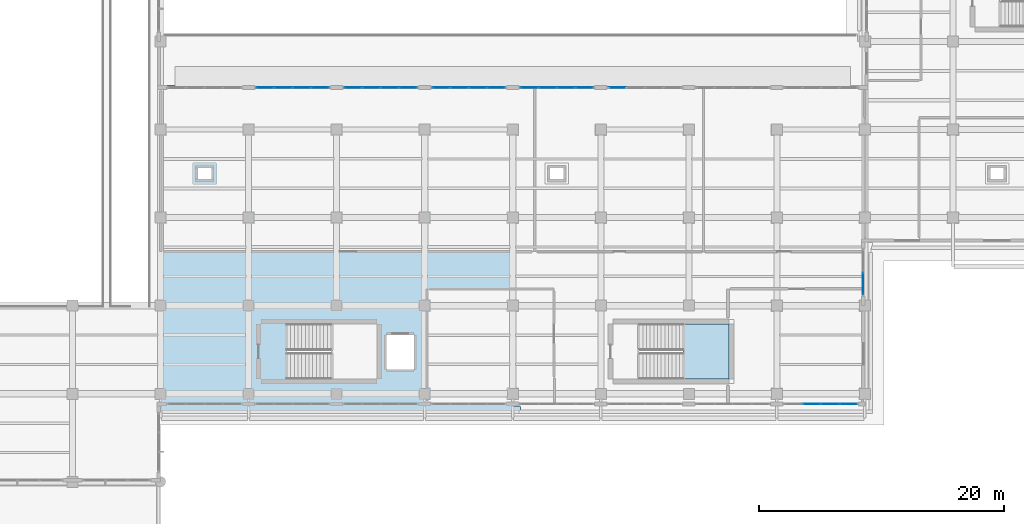
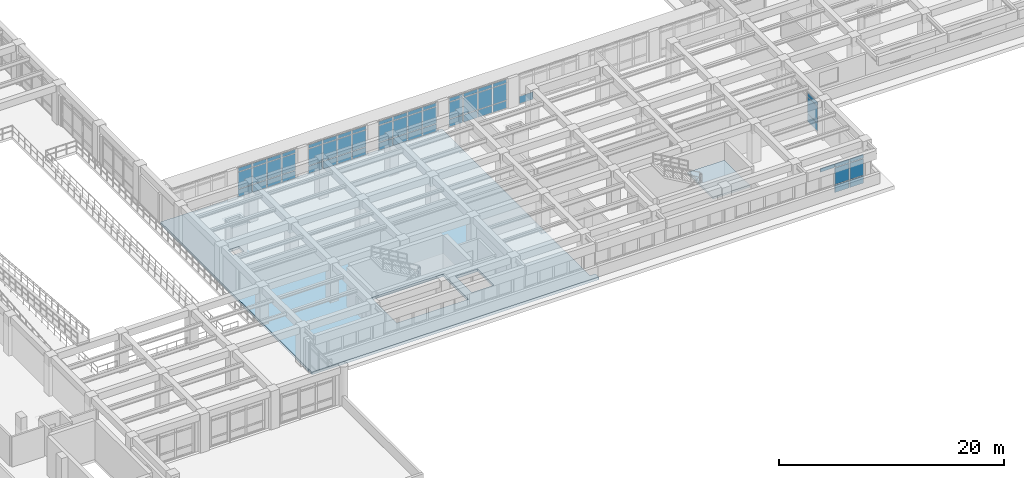
# One storey, part 38 of 69: 59 plates, 2 slabs, 8 elements without a shape of their own.
"""IFC4 building model written with IfcOpenShell, lengths in metres."""

from ifc_helpers import new_model, si_unit, direction, frame, origin, origin_2d, place, context, subcontext, project, spatial, polyline, rectangle, outline, extrude, material, layer, layer_set, type_object, element, aggregate, save


model = new_model("IFC4")

# Units and contexts
model_context = context("Model", 3, precision=1e-05, world=origin(), true_north=direction((0.0, 1.0)))
body_context = subcontext(model_context, "Body", "Model", "MODEL_VIEW")
ifc_project = project(units=[si_unit("LENGTHUNIT", "METRE"), si_unit("AREAUNIT", "SQUARE_METRE"), si_unit("VOLUMEUNIT", "CUBIC_METRE"), si_unit("PLANEANGLEUNIT", "RADIAN"), si_unit("MASSUNIT", "GRAM", prefix="KILO")], contexts=[model_context])

# Site, building, storey
site_placement = place(None, origin())
site = spatial("IfcSite", under=ifc_project, at=site_placement, CompositionType="ELEMENT")
building_placement = place(site_placement, origin())
building = spatial("IfcBuilding", under=site, at=building_placement, Name="Solenvale Faculty of Natural Sciences", CompositionType="ELEMENT")
storey_placement = place(building_placement, frame((0.0, 0.0, 4.5)))
storey = spatial("IfcBuildingStorey", under=building, at=storey_placement, Name="L01", CompositionType="ELEMENT", Elevation=4.5)

# Curtain wall, plate
ifc_material_1 = material(Name="Anodised bronze aluminium", Category="aluminium")
ifc_layer_1 = layer(ifc_material_1, 0.18994140625)
ifc_layer_set_1 = layer_set([ifc_layer_1], Name="Anodised bronze aluminium")
curtain_wall_type_1 = type_object("IfcCurtainWallType", Name="CW-TRAY-REC", PredefinedType="USERDEFINED", material=ifc_layer_set_1)
curtain_wall_1_placement = place(storey_placement, origin())
curtain_wall_1 = element("IfcCurtainWall", 1, at=curtain_wall_1_placement, inside=storey, type_object=curtain_wall_type_1, Name="L01 Curtain Wall CW-L01-P1-E11-B3", ObjectType="UNITISED CURTAIN WALL", PredefinedType="USERDEFINED")
ifc_material_2 = material(Name="North-light skylight glass", Category="glass")
ifc_layer_2 = layer(ifc_material_2, 0.028076171875)
ifc_layer_set_2 = layer_set([ifc_layer_2], Name="North-light skylight glass")
plate_type_1 = type_object("IfcPlateType", Name="CWP-PNL-28", PredefinedType="CURTAIN_PANEL", material=ifc_layer_set_2)
plate_1_placement = place(storey_placement, frame((94.953857421875, 46.637451171875, 0.074951171875), z_axis=(0.0, 0.0, 1.0), x_axis=(-1.0, 0.0, 0.0)))
plate_1 = element("IfcPlate", 2, at=plate_1_placement, type_object=plate_type_1, Name="CW-02 panel 4.1", PredefinedType="CURTAIN_PANEL", context=body_context, shape_type="SweptSolid", body=[
    extrude(rectangle(XDim=1.3974609375, YDim=0.028076171875, at=origin_2d()), origin(), (0.0, 0.0, 1.0), 0.78759765625),
])
aggregate(curtain_wall_1, [plate_1])

# Curtain wall, plates
curtain_wall_2_placement = place(storey_placement, origin())
curtain_wall_2 = element("IfcCurtainWall", 3, at=curtain_wall_2_placement, inside=storey, type_object=curtain_wall_type_1, Name="L01 Curtain Wall CW-L01-P1-E11-B4", ObjectType="UNITISED CURTAIN WALL", PredefinedType="USERDEFINED")
ifc_material_3 = material(Name="Triple low-E insulated glass", Category="glass")
ifc_layer_3 = layer(ifc_material_3, 0.031982421875)
ifc_layer_set_3 = layer_set([ifc_layer_3], Name="Triple low-E insulated glass")
plate_type_2 = type_object("IfcPlateType", Name="CWP-PNL-32", PredefinedType="CURTAIN_PANEL", material=ifc_layer_set_3)
plate_2_placement = place(storey_placement, frame((92.246337890625, 46.637451171875, 0.074951171875), z_axis=(0.0, 0.0, 1.0), x_axis=(-1.0, 0.0, 0.0)))
plate_2 = element("IfcPlate", 4, at=plate_2_placement, type_object=plate_type_2, Name="CW-02 panel 1.1", PredefinedType="CURTAIN_PANEL", context=body_context, shape_type="SweptSolid", body=[
    extrude(rectangle(XDim=1.3974609375, YDim=0.031982421875, at=origin_2d()), origin(), (0.0, 0.0, 1.0), 0.78759765625),
])
plate_3_placement = place(storey_placement, frame((92.246337890625, 46.637451171875, 0.9375), z_axis=(0.0, 0.0, 1.0), x_axis=(-1.0, 0.0, 0.0)))
plate_3 = element("IfcPlate", 5, at=plate_3_placement, type_object=plate_type_2, Name="CW-02 panel 1.2", PredefinedType="CURTAIN_PANEL", context=body_context, shape_type="SweptSolid", body=[
    extrude(rectangle(XDim=1.3974609375, YDim=0.031982421875, at=origin_2d()), origin(), (0.0, 0.0, 1.0), 1.784912109375),
])
plate_4_placement = place(storey_placement, frame((92.246337890625, 46.637451171875, 2.79736328125), z_axis=(0.0, 0.0, 1.0), x_axis=(-1.0, 0.0, 0.0)))
plate_4 = element("IfcPlate", 6, at=plate_4_placement, type_object=plate_type_2, Name="CW-02 panel 1.3", PredefinedType="CURTAIN_PANEL", context=body_context, shape_type="SweptSolid", body=[
    extrude(rectangle(XDim=1.3974609375, YDim=0.031982421875, at=origin_2d()), origin(), (0.0, 0.0, 1.0), 0.387451171875),
])
plate_5_placement = place(storey_placement, frame((90.7548828125, 46.637451171875, 0.074951171875), z_axis=(0.0, 0.0, 1.0), x_axis=(-1.0, 0.0, 0.0)))
plate_5 = element("IfcPlate", 7, at=plate_5_placement, type_object=plate_type_2, Name="CW-02 panel 2.1", PredefinedType="CURTAIN_PANEL", context=body_context, shape_type="SweptSolid", body=[
    extrude(rectangle(XDim=1.43505859375, YDim=0.031982421875, at=origin_2d()), origin(), (0.0, 0.0, 1.0), 0.78759765625),
])
plate_6_placement = place(storey_placement, frame((90.7548828125, 46.637451171875, 0.9375), z_axis=(0.0, 0.0, 1.0), x_axis=(-1.0, 0.0, 0.0)))
plate_6 = element("IfcPlate", 8, at=plate_6_placement, type_object=plate_type_2, Name="CW-02 panel 2.2", PredefinedType="CURTAIN_PANEL", context=body_context, shape_type="SweptSolid", body=[
    extrude(rectangle(XDim=1.43505859375, YDim=0.031982421875, at=origin_2d()), origin(), (0.0, 0.0, 1.0), 1.784912109375),
])
plate_7_placement = place(storey_placement, frame((90.7548828125, 46.637451171875, 2.79736328125), z_axis=(0.0, 0.0, 1.0), x_axis=(-1.0, 0.0, 0.0)))
plate_7 = element("IfcPlate", 9, at=plate_7_placement, type_object=plate_type_2, Name="CW-02 panel 2.3", PredefinedType="CURTAIN_PANEL", context=body_context, shape_type="SweptSolid", body=[
    extrude(rectangle(XDim=1.43505859375, YDim=0.031982421875, at=origin_2d()), origin(), (0.0, 0.0, 1.0), 0.387451171875),
])
plate_8_placement = place(storey_placement, frame((89.2451171875, 46.637451171875, 0.074951171875), z_axis=(0.0, 0.0, 1.0), x_axis=(-1.0, 0.0, 0.0)))
plate_8 = element("IfcPlate", 10, at=plate_8_placement, type_object=plate_type_2, Name="CW-02 panel 3.1", PredefinedType="CURTAIN_PANEL", context=body_context, shape_type="SweptSolid", body=[
    extrude(rectangle(XDim=1.43505859375, YDim=0.031982421875, at=origin_2d()), origin(), (0.0, 0.0, 1.0), 0.78759765625),
])
plate_9_placement = place(storey_placement, frame((89.2451171875, 46.637451171875, 0.9375), z_axis=(0.0, 0.0, 1.0), x_axis=(-1.0, 0.0, 0.0)))
plate_9 = element("IfcPlate", 11, at=plate_9_placement, type_object=plate_type_2, Name="CW-02 panel 3.2", PredefinedType="CURTAIN_PANEL", context=body_context, shape_type="SweptSolid", body=[
    extrude(rectangle(XDim=1.43505859375, YDim=0.031982421875, at=origin_2d()), origin(), (0.0, 0.0, 1.0), 1.784912109375),
])
plate_10_placement = place(storey_placement, frame((89.2451171875, 46.637451171875, 2.79736328125), z_axis=(0.0, 0.0, 1.0), x_axis=(-1.0, 0.0, 0.0)))
plate_10 = element("IfcPlate", 12, at=plate_10_placement, type_object=plate_type_2, Name="CW-02 panel 3.3", PredefinedType="CURTAIN_PANEL", context=body_context, shape_type="SweptSolid", body=[
    extrude(rectangle(XDim=1.43505859375, YDim=0.031982421875, at=origin_2d()), origin(), (0.0, 0.0, 1.0), 0.387451171875),
])
plate_11_placement = place(storey_placement, frame((87.753662109375, 46.637451171875, 0.074951171875), z_axis=(0.0, 0.0, 1.0), x_axis=(-1.0, 0.0, 0.0)))
plate_11 = element("IfcPlate", 13, at=plate_11_placement, type_object=plate_type_2, Name="CW-02 panel 4.1", PredefinedType="CURTAIN_PANEL", context=body_context, shape_type="SweptSolid", body=[
    extrude(rectangle(XDim=1.3974609375, YDim=0.031982421875, at=origin_2d()), origin(), (0.0, 0.0, 1.0), 0.78759765625),
])
plate_12_placement = place(storey_placement, frame((87.753662109375, 46.637451171875, 0.9375), z_axis=(0.0, 0.0, 1.0), x_axis=(-1.0, 0.0, 0.0)))
plate_12 = element("IfcPlate", 14, at=plate_12_placement, type_object=plate_type_2, Name="CW-02 panel 4.2", PredefinedType="CURTAIN_PANEL", context=body_context, shape_type="SweptSolid", body=[
    extrude(rectangle(XDim=1.3974609375, YDim=0.031982421875, at=origin_2d()), origin(), (0.0, 0.0, 1.0), 1.784912109375),
])
plate_13_placement = place(storey_placement, frame((87.753662109375, 46.637451171875, 2.79736328125), z_axis=(0.0, 0.0, 1.0), x_axis=(-1.0, 0.0, 0.0)))
plate_13 = element("IfcPlate", 15, at=plate_13_placement, type_object=plate_type_2, Name="CW-02 panel 4.3", PredefinedType="CURTAIN_PANEL", context=body_context, shape_type="SweptSolid", body=[
    extrude(rectangle(XDim=1.3974609375, YDim=0.031982421875, at=origin_2d()), origin(), (0.0, 0.0, 1.0), 0.387451171875),
])
aggregate(curtain_wall_2, [plate_2, plate_3, plate_4, plate_5, plate_6, plate_7, plate_8, plate_9, plate_10, plate_11, plate_12, plate_13])

ifc_layer_4 = layer(ifc_material_1, 0.179931640625)
ifc_layer_set_4 = layer_set([ifc_layer_4], Name="Anodised bronze aluminium")
curtain_wall_type_2 = type_object("IfcCurtainWallType", Name="CW-TWR-MOD", PredefinedType="USERDEFINED", material=ifc_layer_set_4)
curtain_wall_3_placement = place(storey_placement, origin())
curtain_wall_3 = element("IfcCurtainWall", 16, at=curtain_wall_3_placement, inside=storey, type_object=curtain_wall_type_2, Name="L01 Curtain Wall CW-L01-P1-E6-B2", ObjectType="UNITISED CURTAIN WALL", PredefinedType="USERDEFINED")
ifc_layer_5 = layer(ifc_material_3, 0.035888671875)
ifc_layer_set_5 = layer_set([ifc_layer_5], Name="Triple low-E insulated glass")
plate_type_3 = type_object("IfcPlateType", Name="CWP-PNL-36", PredefinedType="CURTAIN_PANEL", material=ifc_layer_set_5)
plate_14_placement = place(storey_placement, frame((115.0576171875, 30.611328125, 0.074951171875), z_axis=(0.0, 0.0, 1.0), x_axis=(0.0, 1.0, 0.0)))
plate_14 = element("IfcPlate", 17, at=plate_14_placement, type_object=plate_type_3, Name="CW-04 panel 1.1", PredefinedType="CURTAIN_PANEL", context=body_context, shape_type="SweptSolid", body=[
    extrude(rectangle(XDim=1.7724609375, YDim=0.035888671875, at=origin_2d()), origin(), (0.0, 0.0, 1.0), 0.78759765625),
])
plate_15_placement = place(storey_placement, frame((115.0576171875, 30.611328125, 0.9375), z_axis=(0.0, 0.0, 1.0), x_axis=(0.0, 1.0, 0.0)))
plate_15 = element("IfcPlate", 18, at=plate_15_placement, type_object=plate_type_3, Name="CW-04 panel 1.2", PredefinedType="CURTAIN_PANEL", context=body_context, shape_type="SweptSolid", body=[
    extrude(rectangle(XDim=1.7724609375, YDim=0.035888671875, at=origin_2d()), origin(), (0.0, 0.0, 1.0), 1.784912109375),
])
plate_16_placement = place(storey_placement, frame((115.0576171875, 30.611328125, 2.79736328125), z_axis=(0.0, 0.0, 1.0), x_axis=(0.0, 1.0, 0.0)))
plate_16 = element("IfcPlate", 19, at=plate_16_placement, type_object=plate_type_3, Name="CW-04 panel 1.3", PredefinedType="CURTAIN_PANEL", context=body_context, shape_type="SweptSolid", body=[
    extrude(rectangle(XDim=1.7724609375, YDim=0.035888671875, at=origin_2d()), origin(), (0.0, 0.0, 1.0), 0.387451171875),
])
aggregate(curtain_wall_3, [plate_14, plate_15, plate_16])

curtain_wall_4_placement = place(storey_placement, origin())
curtain_wall_4 = element("IfcCurtainWall", 20, at=curtain_wall_4_placement, inside=storey, type_object=curtain_wall_type_1, Name="L01 Curtain Wall CW-L01-P1-E11-B5", ObjectType="UNITISED CURTAIN WALL", PredefinedType="USERDEFINED")
plate_17_placement = place(storey_placement, frame((85.046142578125, 46.637451171875, 0.074951171875), z_axis=(0.0, 0.0, 1.0), x_axis=(-1.0, 0.0, 0.0)))
plate_17 = element("IfcPlate", 21, at=plate_17_placement, type_object=plate_type_3, Name="CW-02 panel 1.1", PredefinedType="CURTAIN_PANEL", context=body_context, shape_type="SweptSolid", body=[
    extrude(rectangle(XDim=1.3974609375, YDim=0.035888671875, at=origin_2d()), origin(), (0.0, 0.0, 1.0), 0.78759765625),
])
plate_18_placement = place(storey_placement, frame((85.046142578125, 46.637451171875, 0.9375), z_axis=(0.0, 0.0, 1.0), x_axis=(-1.0, 0.0, 0.0)))
plate_18 = element("IfcPlate", 22, at=plate_18_placement, type_object=plate_type_3, Name="CW-02 panel 1.2", PredefinedType="CURTAIN_PANEL", context=body_context, shape_type="SweptSolid", body=[
    extrude(rectangle(XDim=1.3974609375, YDim=0.035888671875, at=origin_2d()), origin(), (0.0, 0.0, 1.0), 1.784912109375),
])
plate_19_placement = place(storey_placement, frame((85.046142578125, 46.637451171875, 2.79736328125), z_axis=(0.0, 0.0, 1.0), x_axis=(-1.0, 0.0, 0.0)))
plate_19 = element("IfcPlate", 23, at=plate_19_placement, type_object=plate_type_3, Name="CW-02 panel 1.3", PredefinedType="CURTAIN_PANEL", context=body_context, shape_type="SweptSolid", body=[
    extrude(rectangle(XDim=1.3974609375, YDim=0.035888671875, at=origin_2d()), origin(), (0.0, 0.0, 1.0), 0.387451171875),
])
plate_20_placement = place(storey_placement, frame((83.554931640625, 46.637451171875, 0.074951171875), z_axis=(0.0, 0.0, 1.0), x_axis=(-1.0, 0.0, 0.0)))
plate_20 = element("IfcPlate", 24, at=plate_20_placement, type_object=plate_type_3, Name="CW-02 panel 2.1", PredefinedType="CURTAIN_PANEL", context=body_context, shape_type="SweptSolid", body=[
    extrude(rectangle(XDim=1.43505859375, YDim=0.035888671875, at=origin_2d()), origin(), (0.0, 0.0, 1.0), 0.78759765625),
])
plate_21_placement = place(storey_placement, frame((83.554931640625, 46.637451171875, 0.9375), z_axis=(0.0, 0.0, 1.0), x_axis=(-1.0, 0.0, 0.0)))
plate_21 = element("IfcPlate", 25, at=plate_21_placement, type_object=plate_type_3, Name="CW-02 panel 2.2", PredefinedType="CURTAIN_PANEL", context=body_context, shape_type="SweptSolid", body=[
    extrude(rectangle(XDim=1.43505859375, YDim=0.035888671875, at=origin_2d()), origin(), (0.0, 0.0, 1.0), 1.784912109375),
])
plate_22_placement = place(storey_placement, frame((83.554931640625, 46.637451171875, 2.79736328125), z_axis=(0.0, 0.0, 1.0), x_axis=(-1.0, 0.0, 0.0)))
plate_22 = element("IfcPlate", 26, at=plate_22_placement, type_object=plate_type_3, Name="CW-02 panel 2.3", PredefinedType="CURTAIN_PANEL", context=body_context, shape_type="SweptSolid", body=[
    extrude(rectangle(XDim=1.43505859375, YDim=0.035888671875, at=origin_2d()), origin(), (0.0, 0.0, 1.0), 0.387451171875),
])
plate_23_placement = place(storey_placement, frame((82.044921875, 46.637451171875, 0.074951171875), z_axis=(0.0, 0.0, 1.0), x_axis=(-1.0, 0.0, 0.0)))
plate_23 = element("IfcPlate", 27, at=plate_23_placement, type_object=plate_type_3, Name="CW-02 panel 3.1", PredefinedType="CURTAIN_PANEL", context=body_context, shape_type="SweptSolid", body=[
    extrude(rectangle(XDim=1.43505859375, YDim=0.035888671875, at=origin_2d()), origin(), (0.0, 0.0, 1.0), 0.78759765625),
])
plate_24_placement = place(storey_placement, frame((82.044921875, 46.637451171875, 0.9375), z_axis=(0.0, 0.0, 1.0), x_axis=(-1.0, 0.0, 0.0)))
plate_24 = element("IfcPlate", 28, at=plate_24_placement, type_object=plate_type_3, Name="CW-02 panel 3.2", PredefinedType="CURTAIN_PANEL", context=body_context, shape_type="SweptSolid", body=[
    extrude(rectangle(XDim=1.43505859375, YDim=0.035888671875, at=origin_2d()), origin(), (0.0, 0.0, 1.0), 1.784912109375),
])
plate_25_placement = place(storey_placement, frame((82.044921875, 46.637451171875, 2.79736328125), z_axis=(0.0, 0.0, 1.0), x_axis=(-1.0, 0.0, 0.0)))
plate_25 = element("IfcPlate", 29, at=plate_25_placement, type_object=plate_type_3, Name="CW-02 panel 3.3", PredefinedType="CURTAIN_PANEL", context=body_context, shape_type="SweptSolid", body=[
    extrude(rectangle(XDim=1.43505859375, YDim=0.035888671875, at=origin_2d()), origin(), (0.0, 0.0, 1.0), 0.387451171875),
])
plate_26_placement = place(storey_placement, frame((80.5537109375, 46.637451171875, 0.074951171875), z_axis=(0.0, 0.0, 1.0), x_axis=(-1.0, 0.0, 0.0)))
plate_26 = element("IfcPlate", 30, at=plate_26_placement, type_object=plate_type_3, Name="CW-02 panel 4.1", PredefinedType="CURTAIN_PANEL", context=body_context, shape_type="SweptSolid", body=[
    extrude(rectangle(XDim=1.3974609375, YDim=0.035888671875, at=origin_2d()), origin(), (0.0, 0.0, 1.0), 0.78759765625),
])
plate_27_placement = place(storey_placement, frame((80.5537109375, 46.637451171875, 0.9375), z_axis=(0.0, 0.0, 1.0), x_axis=(-1.0, 0.0, 0.0)))
plate_27 = element("IfcPlate", 31, at=plate_27_placement, type_object=plate_type_3, Name="CW-02 panel 4.2", PredefinedType="CURTAIN_PANEL", context=body_context, shape_type="SweptSolid", body=[
    extrude(rectangle(XDim=1.3974609375, YDim=0.035888671875, at=origin_2d()), origin(), (0.0, 0.0, 1.0), 1.784912109375),
])
plate_28_placement = place(storey_placement, frame((80.5537109375, 46.637451171875, 2.79736328125), z_axis=(0.0, 0.0, 1.0), x_axis=(-1.0, 0.0, 0.0)))
plate_28 = element("IfcPlate", 32, at=plate_28_placement, type_object=plate_type_3, Name="CW-02 panel 4.3", PredefinedType="CURTAIN_PANEL", context=body_context, shape_type="SweptSolid", body=[
    extrude(rectangle(XDim=1.3974609375, YDim=0.035888671875, at=origin_2d()), origin(), (0.0, 0.0, 1.0), 0.387451171875),
])
aggregate(curtain_wall_4, [plate_17, plate_18, plate_19, plate_20, plate_21, plate_22, plate_23, plate_24, plate_25, plate_26, plate_27, plate_28])

curtain_wall_5_placement = place(storey_placement, origin())
curtain_wall_5 = element("IfcCurtainWall", 33, at=curtain_wall_5_placement, inside=storey, type_object=curtain_wall_type_1, Name="L01 Curtain Wall CW-L01-P1-E11-B6", ObjectType="UNITISED CURTAIN WALL", PredefinedType="USERDEFINED")
ifc_layer_6 = layer(ifc_material_3, 0.0400390625)
ifc_layer_set_6 = layer_set([ifc_layer_6], Name="Triple low-E insulated glass")
plate_type_4 = type_object("IfcPlateType", Name="CWP-PNL-40", PredefinedType="CURTAIN_PANEL", material=ifc_layer_set_6)
plate_29_placement = place(storey_placement, frame((77.84619140625, 46.637451171875, 0.074951171875), z_axis=(0.0, 0.0, 1.0), x_axis=(-1.0, 0.0, 0.0)))
plate_29 = element("IfcPlate", 34, at=plate_29_placement, type_object=plate_type_4, Name="CW-02 panel 1.1", PredefinedType="CURTAIN_PANEL", context=body_context, shape_type="SweptSolid", body=[
    extrude(rectangle(XDim=1.3974609375, YDim=0.0400390625, at=origin_2d()), origin(), (0.0, 0.0, 1.0), 0.78759765625),
])
plate_30_placement = place(storey_placement, frame((77.84619140625, 46.637451171875, 0.9375), z_axis=(0.0, 0.0, 1.0), x_axis=(-1.0, 0.0, 0.0)))
plate_30 = element("IfcPlate", 35, at=plate_30_placement, type_object=plate_type_4, Name="CW-02 panel 1.2", PredefinedType="CURTAIN_PANEL", context=body_context, shape_type="SweptSolid", body=[
    extrude(rectangle(XDim=1.3974609375, YDim=0.0400390625, at=origin_2d()), origin(), (0.0, 0.0, 1.0), 1.784912109375),
])
plate_31_placement = place(storey_placement, frame((77.84619140625, 46.637451171875, 2.79736328125), z_axis=(0.0, 0.0, 1.0), x_axis=(-1.0, 0.0, 0.0)))
plate_31 = element("IfcPlate", 36, at=plate_31_placement, type_object=plate_type_4, Name="CW-02 panel 1.3", PredefinedType="CURTAIN_PANEL", context=body_context, shape_type="SweptSolid", body=[
    extrude(rectangle(XDim=1.3974609375, YDim=0.0400390625, at=origin_2d()), origin(), (0.0, 0.0, 1.0), 0.387451171875),
])
plate_32_placement = place(storey_placement, frame((76.35498046875, 46.637451171875, 0.074951171875), z_axis=(0.0, 0.0, 1.0), x_axis=(-1.0, 0.0, 0.0)))
plate_32 = element("IfcPlate", 37, at=plate_32_placement, type_object=plate_type_4, Name="CW-02 panel 2.1", PredefinedType="CURTAIN_PANEL", context=body_context, shape_type="SweptSolid", body=[
    extrude(rectangle(XDim=1.43505859375, YDim=0.0400390625, at=origin_2d()), origin(), (0.0, 0.0, 1.0), 0.78759765625),
])
plate_33_placement = place(storey_placement, frame((76.35498046875, 46.637451171875, 0.9375), z_axis=(0.0, 0.0, 1.0), x_axis=(-1.0, 0.0, 0.0)))
plate_33 = element("IfcPlate", 38, at=plate_33_placement, type_object=plate_type_4, Name="CW-02 panel 2.2", PredefinedType="CURTAIN_PANEL", context=body_context, shape_type="SweptSolid", body=[
    extrude(rectangle(XDim=1.43505859375, YDim=0.0400390625, at=origin_2d()), origin(), (0.0, 0.0, 1.0), 1.784912109375),
])
plate_34_placement = place(storey_placement, frame((76.35498046875, 46.637451171875, 2.79736328125), z_axis=(0.0, 0.0, 1.0), x_axis=(-1.0, 0.0, 0.0)))
plate_34 = element("IfcPlate", 39, at=plate_34_placement, type_object=plate_type_4, Name="CW-02 panel 2.3", PredefinedType="CURTAIN_PANEL", context=body_context, shape_type="SweptSolid", body=[
    extrude(rectangle(XDim=1.43505859375, YDim=0.0400390625, at=origin_2d()), origin(), (0.0, 0.0, 1.0), 0.387451171875),
])
plate_35_placement = place(storey_placement, frame((74.844970703125, 46.637451171875, 0.074951171875), z_axis=(0.0, 0.0, 1.0), x_axis=(-1.0, 0.0, 0.0)))
plate_35 = element("IfcPlate", 40, at=plate_35_placement, type_object=plate_type_4, Name="CW-02 panel 3.1", PredefinedType="CURTAIN_PANEL", context=body_context, shape_type="SweptSolid", body=[
    extrude(rectangle(XDim=1.43505859375, YDim=0.0400390625, at=origin_2d()), origin(), (0.0, 0.0, 1.0), 0.78759765625),
])
plate_36_placement = place(storey_placement, frame((74.844970703125, 46.637451171875, 0.9375), z_axis=(0.0, 0.0, 1.0), x_axis=(-1.0, 0.0, 0.0)))
plate_36 = element("IfcPlate", 41, at=plate_36_placement, type_object=plate_type_4, Name="CW-02 panel 3.2", PredefinedType="CURTAIN_PANEL", context=body_context, shape_type="SweptSolid", body=[
    extrude(rectangle(XDim=1.43505859375, YDim=0.0400390625, at=origin_2d()), origin(), (0.0, 0.0, 1.0), 1.784912109375),
])
plate_37_placement = place(storey_placement, frame((74.844970703125, 46.637451171875, 2.79736328125), z_axis=(0.0, 0.0, 1.0), x_axis=(-1.0, 0.0, 0.0)))
plate_37 = element("IfcPlate", 42, at=plate_37_placement, type_object=plate_type_4, Name="CW-02 panel 3.3", PredefinedType="CURTAIN_PANEL", context=body_context, shape_type="SweptSolid", body=[
    extrude(rectangle(XDim=1.43505859375, YDim=0.0400390625, at=origin_2d()), origin(), (0.0, 0.0, 1.0), 0.387451171875),
])
plate_38_placement = place(storey_placement, frame((73.353759765625, 46.637451171875, 0.074951171875), z_axis=(0.0, 0.0, 1.0), x_axis=(-1.0, 0.0, 0.0)))
plate_38 = element("IfcPlate", 43, at=plate_38_placement, type_object=plate_type_4, Name="CW-02 panel 4.1", PredefinedType="CURTAIN_PANEL", context=body_context, shape_type="SweptSolid", body=[
    extrude(rectangle(XDim=1.3974609375, YDim=0.0400390625, at=origin_2d()), origin(), (0.0, 0.0, 1.0), 0.78759765625),
])
plate_39_placement = place(storey_placement, frame((73.353759765625, 46.637451171875, 0.9375), z_axis=(0.0, 0.0, 1.0), x_axis=(-1.0, 0.0, 0.0)))
plate_39 = element("IfcPlate", 44, at=plate_39_placement, type_object=plate_type_4, Name="CW-02 panel 4.2", PredefinedType="CURTAIN_PANEL", context=body_context, shape_type="SweptSolid", body=[
    extrude(rectangle(XDim=1.3974609375, YDim=0.0400390625, at=origin_2d()), origin(), (0.0, 0.0, 1.0), 1.784912109375),
])
plate_40_placement = place(storey_placement, frame((73.353759765625, 46.637451171875, 2.79736328125), z_axis=(0.0, 0.0, 1.0), x_axis=(-1.0, 0.0, 0.0)))
plate_40 = element("IfcPlate", 45, at=plate_40_placement, type_object=plate_type_4, Name="CW-02 panel 4.3", PredefinedType="CURTAIN_PANEL", context=body_context, shape_type="SweptSolid", body=[
    extrude(rectangle(XDim=1.3974609375, YDim=0.0400390625, at=origin_2d()), origin(), (0.0, 0.0, 1.0), 0.387451171875),
])
aggregate(curtain_wall_5, [plate_29, plate_30, plate_31, plate_32, plate_33, plate_34, plate_35, plate_36, plate_37, plate_38, plate_39, plate_40])

curtain_wall_6_placement = place(storey_placement, origin())
curtain_wall_6 = element("IfcCurtainWall", 46, at=curtain_wall_6_placement, inside=storey, type_object=curtain_wall_type_1, Name="L01 Curtain Wall CW-L01-P1-E11-B7", ObjectType="UNITISED CURTAIN WALL", PredefinedType="USERDEFINED")
ifc_layer_7 = layer(ifc_material_3, 0.0439453125)
ifc_layer_set_7 = layer_set([ifc_layer_7], Name="Triple low-E insulated glass")
plate_type_5 = type_object("IfcPlateType", Name="CWP-PNL-44", PredefinedType="CURTAIN_PANEL", material=ifc_layer_set_7)
plate_41_placement = place(storey_placement, frame((70.646240234375, 46.637451171875, 0.074951171875), z_axis=(0.0, 0.0, 1.0), x_axis=(-1.0, 0.0, 0.0)))
plate_41 = element("IfcPlate", 47, at=plate_41_placement, type_object=plate_type_5, Name="CW-02 panel 1.1", PredefinedType="CURTAIN_PANEL", context=body_context, shape_type="SweptSolid", body=[
    extrude(rectangle(XDim=1.3974609375, YDim=0.0439453125, at=origin_2d()), origin(), (0.0, 0.0, 1.0), 0.78759765625),
])
plate_42_placement = place(storey_placement, frame((70.646240234375, 46.637451171875, 0.9375), z_axis=(0.0, 0.0, 1.0), x_axis=(-1.0, 0.0, 0.0)))
plate_42 = element("IfcPlate", 48, at=plate_42_placement, type_object=plate_type_5, Name="CW-02 panel 1.2", PredefinedType="CURTAIN_PANEL", context=body_context, shape_type="SweptSolid", body=[
    extrude(rectangle(XDim=1.3974609375, YDim=0.0439453125, at=origin_2d()), origin(), (0.0, 0.0, 1.0), 1.784912109375),
])
plate_43_placement = place(storey_placement, frame((70.646240234375, 46.637451171875, 2.79736328125), z_axis=(0.0, 0.0, 1.0), x_axis=(-1.0, 0.0, 0.0)))
plate_43 = element("IfcPlate", 49, at=plate_43_placement, type_object=plate_type_5, Name="CW-02 panel 1.3", PredefinedType="CURTAIN_PANEL", context=body_context, shape_type="SweptSolid", body=[
    extrude(rectangle(XDim=1.3974609375, YDim=0.0439453125, at=origin_2d()), origin(), (0.0, 0.0, 1.0), 0.387451171875),
])
plate_44_placement = place(storey_placement, frame((69.155029296875, 46.637451171875, 0.074951171875), z_axis=(0.0, 0.0, 1.0), x_axis=(-1.0, 0.0, 0.0)))
plate_44 = element("IfcPlate", 50, at=plate_44_placement, type_object=plate_type_5, Name="CW-02 panel 2.1", PredefinedType="CURTAIN_PANEL", context=body_context, shape_type="SweptSolid", body=[
    extrude(rectangle(XDim=1.43505859375, YDim=0.0439453125, at=origin_2d()), origin(), (0.0, 0.0, 1.0), 0.78759765625),
])
plate_45_placement = place(storey_placement, frame((69.155029296875, 46.637451171875, 0.9375), z_axis=(0.0, 0.0, 1.0), x_axis=(-1.0, 0.0, 0.0)))
plate_45 = element("IfcPlate", 51, at=plate_45_placement, type_object=plate_type_5, Name="CW-02 panel 2.2", PredefinedType="CURTAIN_PANEL", context=body_context, shape_type="SweptSolid", body=[
    extrude(rectangle(XDim=1.43505859375, YDim=0.0439453125, at=origin_2d()), origin(), (0.0, 0.0, 1.0), 1.784912109375),
])
plate_46_placement = place(storey_placement, frame((69.155029296875, 46.637451171875, 2.79736328125), z_axis=(0.0, 0.0, 1.0), x_axis=(-1.0, 0.0, 0.0)))
plate_46 = element("IfcPlate", 52, at=plate_46_placement, type_object=plate_type_5, Name="CW-02 panel 2.3", PredefinedType="CURTAIN_PANEL", context=body_context, shape_type="SweptSolid", body=[
    extrude(rectangle(XDim=1.43505859375, YDim=0.0439453125, at=origin_2d()), origin(), (0.0, 0.0, 1.0), 0.387451171875),
])
plate_47_placement = place(storey_placement, frame((67.64501953125, 46.637451171875, 0.074951171875), z_axis=(0.0, 0.0, 1.0), x_axis=(-1.0, 0.0, 0.0)))
plate_47 = element("IfcPlate", 53, at=plate_47_placement, type_object=plate_type_5, Name="CW-02 panel 3.1", PredefinedType="CURTAIN_PANEL", context=body_context, shape_type="SweptSolid", body=[
    extrude(rectangle(XDim=1.43505859375, YDim=0.0439453125, at=origin_2d()), origin(), (0.0, 0.0, 1.0), 0.78759765625),
])
plate_48_placement = place(storey_placement, frame((67.64501953125, 46.637451171875, 0.9375), z_axis=(0.0, 0.0, 1.0), x_axis=(-1.0, 0.0, 0.0)))
plate_48 = element("IfcPlate", 54, at=plate_48_placement, type_object=plate_type_5, Name="CW-02 panel 3.2", PredefinedType="CURTAIN_PANEL", context=body_context, shape_type="SweptSolid", body=[
    extrude(rectangle(XDim=1.43505859375, YDim=0.0439453125, at=origin_2d()), origin(), (0.0, 0.0, 1.0), 1.784912109375),
])
plate_49_placement = place(storey_placement, frame((67.64501953125, 46.637451171875, 2.79736328125), z_axis=(0.0, 0.0, 1.0), x_axis=(-1.0, 0.0, 0.0)))
plate_49 = element("IfcPlate", 55, at=plate_49_placement, type_object=plate_type_5, Name="CW-02 panel 3.3", PredefinedType="CURTAIN_PANEL", context=body_context, shape_type="SweptSolid", body=[
    extrude(rectangle(XDim=1.43505859375, YDim=0.0439453125, at=origin_2d()), origin(), (0.0, 0.0, 1.0), 0.387451171875),
])
plate_50_placement = place(storey_placement, frame((66.15380859375, 46.637451171875, 0.074951171875), z_axis=(0.0, 0.0, 1.0), x_axis=(-1.0, 0.0, 0.0)))
plate_50 = element("IfcPlate", 56, at=plate_50_placement, type_object=plate_type_5, Name="CW-02 panel 4.1", PredefinedType="CURTAIN_PANEL", context=body_context, shape_type="SweptSolid", body=[
    extrude(rectangle(XDim=1.3974609375, YDim=0.0439453125, at=origin_2d()), origin(), (0.0, 0.0, 1.0), 0.78759765625),
])
plate_51_placement = place(storey_placement, frame((66.15380859375, 46.637451171875, 0.9375), z_axis=(0.0, 0.0, 1.0), x_axis=(-1.0, 0.0, 0.0)))
plate_51 = element("IfcPlate", 57, at=plate_51_placement, type_object=plate_type_5, Name="CW-02 panel 4.2", PredefinedType="CURTAIN_PANEL", context=body_context, shape_type="SweptSolid", body=[
    extrude(rectangle(XDim=1.3974609375, YDim=0.0439453125, at=origin_2d()), origin(), (0.0, 0.0, 1.0), 1.784912109375),
])
plate_52_placement = place(storey_placement, frame((66.15380859375, 46.637451171875, 2.79736328125), z_axis=(0.0, 0.0, 1.0), x_axis=(-1.0, 0.0, 0.0)))
plate_52 = element("IfcPlate", 58, at=plate_52_placement, type_object=plate_type_5, Name="CW-02 panel 4.3", PredefinedType="CURTAIN_PANEL", context=body_context, shape_type="SweptSolid", body=[
    extrude(rectangle(XDim=1.3974609375, YDim=0.0439453125, at=origin_2d()), origin(), (0.0, 0.0, 1.0), 0.387451171875),
])
aggregate(curtain_wall_6, [plate_41, plate_42, plate_43, plate_44, plate_45, plate_46, plate_47, plate_48, plate_49, plate_50, plate_51, plate_52])

curtain_wall_7_placement = place(storey_placement, origin())
curtain_wall_7 = element("IfcCurtainWall", 59, at=curtain_wall_7_placement, inside=storey, type_object=curtain_wall_type_1, Name="L01 Curtain Wall CW-L01-P1-E5-B8", ObjectType="UNITISED CURTAIN WALL", PredefinedType="USERDEFINED")
ifc_layer_8 = layer(ifc_material_1, 0.06005859375)
ifc_layer_set_8 = layer_set([ifc_layer_8], Name="Anodised bronze aluminium")
plate_type_6 = type_object("IfcPlateType", Name="CWP-PNL-60", PredefinedType="CURTAIN_PANEL", material=ifc_layer_set_8)
plate_53_placement = place(storey_placement, frame((110.844970703125, 20.762451171875, 2.79736328125), z_axis=(0.0, 0.0, 1.0), x_axis=(1.0, 0.0, 0.0)))
plate_53 = element("IfcPlate", 60, at=plate_53_placement, type_object=plate_type_6, Name="CW-02 panel 2.3", PredefinedType="CURTAIN_PANEL", context=body_context, shape_type="SweptSolid", body=[
    extrude(rectangle(XDim=1.43505859375, YDim=0.06005859375, at=origin_2d()), origin(), (0.0, 0.0, 1.0), 0.387451171875),
])
plate_54_placement = place(storey_placement, frame((112.35498046875, 20.762451171875, 0.074951171875), z_axis=(0.0, 0.0, 1.0), x_axis=(1.0, 0.0, 0.0)))
plate_54 = element("IfcPlate", 61, at=plate_54_placement, type_object=plate_type_6, Name="CW-02 panel 3.1", PredefinedType="CURTAIN_PANEL", context=body_context, shape_type="SweptSolid", body=[
    extrude(rectangle(XDim=1.43505859375, YDim=0.06005859375, at=origin_2d()), origin(), (0.0, 0.0, 1.0), 0.78759765625),
])
plate_55_placement = place(storey_placement, frame((112.35498046875, 20.762451171875, 0.9375), z_axis=(0.0, 0.0, 1.0), x_axis=(1.0, 0.0, 0.0)))
plate_55 = element("IfcPlate", 62, at=plate_55_placement, type_object=plate_type_6, Name="CW-02 panel 3.2", PredefinedType="CURTAIN_PANEL", context=body_context, shape_type="SweptSolid", body=[
    extrude(rectangle(XDim=1.43505859375, YDim=0.06005859375, at=origin_2d()), origin(), (0.0, 0.0, 1.0), 1.784912109375),
])
plate_56_placement = place(storey_placement, frame((112.35498046875, 20.762451171875, 2.79736328125), z_axis=(0.0, 0.0, 1.0), x_axis=(1.0, 0.0, 0.0)))
plate_56 = element("IfcPlate", 63, at=plate_56_placement, type_object=plate_type_6, Name="CW-02 panel 3.3", PredefinedType="CURTAIN_PANEL", context=body_context, shape_type="SweptSolid", body=[
    extrude(rectangle(XDim=1.43505859375, YDim=0.06005859375, at=origin_2d()), origin(), (0.0, 0.0, 1.0), 0.387451171875),
])
plate_57_placement = place(storey_placement, frame((113.84619140625, 20.762451171875, 0.074951171875), z_axis=(0.0, 0.0, 1.0), x_axis=(1.0, 0.0, 0.0)))
plate_57 = element("IfcPlate", 64, at=plate_57_placement, type_object=plate_type_6, Name="CW-02 panel 4.1", PredefinedType="CURTAIN_PANEL", context=body_context, shape_type="SweptSolid", body=[
    extrude(rectangle(XDim=1.3974609375, YDim=0.06005859375, at=origin_2d()), origin(), (0.0, 0.0, 1.0), 0.78759765625),
])
plate_58_placement = place(storey_placement, frame((113.84619140625, 20.762451171875, 0.9375), z_axis=(0.0, 0.0, 1.0), x_axis=(1.0, 0.0, 0.0)))
plate_58 = element("IfcPlate", 65, at=plate_58_placement, type_object=plate_type_6, Name="CW-02 panel 4.2", PredefinedType="CURTAIN_PANEL", context=body_context, shape_type="SweptSolid", body=[
    extrude(rectangle(XDim=1.3974609375, YDim=0.06005859375, at=origin_2d()), origin(), (0.0, 0.0, 1.0), 1.784912109375),
])
plate_59_placement = place(storey_placement, frame((113.84619140625, 20.762451171875, 2.79736328125), z_axis=(0.0, 0.0, 1.0), x_axis=(1.0, 0.0, 0.0)))
plate_59 = element("IfcPlate", 66, at=plate_59_placement, type_object=plate_type_6, Name="CW-02 panel 4.3", PredefinedType="CURTAIN_PANEL", context=body_context, shape_type="SweptSolid", body=[
    extrude(rectangle(XDim=1.3974609375, YDim=0.06005859375, at=origin_2d()), origin(), (0.0, 0.0, 1.0), 0.387451171875),
])
aggregate(curtain_wall_7, [plate_53, plate_54, plate_55, plate_56, plate_57, plate_58, plate_59])

# Stair, slab
ifc_material_4 = material(Name="Concrete 40 MPa", Category="concrete")
stair_type = type_object("IfcStairType", Name="STR-CORE-25R", PredefinedType="DOUBLE_RETURN_STAIR", material=ifc_material_4)
stair_placement = place(storey_placement, origin())
stair = element("IfcStair", 67, at=stair_placement, inside=storey, type_object=stair_type, Name="L01 Protected Exit Stair ST-07", PredefinedType="DOUBLE_RETURN_STAIR")
ifc_layer_9 = layer(ifc_material_4, 0.195068359375)
ifc_layer_set_9 = layer_set([ifc_layer_9], Name="Concrete 40 MPa")
slab_type_1 = type_object("IfcSlabType", Name="SL-LND-195", PredefinedType="LANDING", material=ifc_layer_set_9)
slab_1_placement = place(storey_placement, frame((0.0, 0.0, 2.050048828125)))
slab_1 = element("IfcSlab", 68, at=slab_1_placement, type_object=slab_type_1, Name="ST-07 landing 1", PredefinedType="LANDING", context=body_context, shape_type="SweptSolid", body=[
    extrude(outline(polyline([(100.340087890625, 22.800048828125), (104.10009765625, 22.800048828125), (104.10009765625, 27.300048828125), (100.340087890625, 27.300048828125), (100.340087890625, 22.800048828125)])), origin(), (0.0, 0.0, 1.0), 0.199951171875),
])
aggregate(stair, [slab_1])

# Slab
ifc_material_5 = material(Name="Architectural bronze concrete 40 MPa", Category="concrete")
ifc_layer_10 = layer(ifc_material_5, 0.280029296875)
ifc_layer_set_10 = layer_set([ifc_layer_10], Name="Architectural bronze concrete 40 MPa")
slab_type_2 = type_object("IfcSlabType", Name="SL-TRAY-280", PredefinedType="FLOOR", material=ifc_layer_set_10)
slab_2_placement = place(storey_placement, frame((0.0, 0.0, -0.280029296875)))
element("IfcSlab", 69, at=slab_2_placement, inside=storey, type_object=slab_type_2, Name="L01 V4 Floor Slab 1.1", PredefinedType="FLOOR", context=body_context, shape_type="SweptSolid", body=[
    extrude(outline(polyline([(57.6201171875, 20.5498046875), (57.60009765625, 20.58740234375), (57.60009765625, 46.77490234375), (57.607421875, 46.792724609375), (57.625, 46.800048828125), (86.37548828125, 46.800048828125), (86.422607421875, 46.772705078125), (86.429931640625, 46.7548828125), (86.429931640625, 20.600341796875), (86.435302734375, 20.586181640625), (86.44970703125, 20.580078125), (86.9951171875, 20.580078125), (87.0126953125, 20.57275390625), (87.02001953125, 20.554931640625), (87.02001953125, 20.0048828125), (87.0126953125, 19.9873046875), (86.9951171875, 19.97998046875), (57.64501953125, 19.97998046875), (57.629150390625, 19.985595703125), (57.6201171875, 20.00244140625), (57.6201171875, 20.5498046875)]), holes=[polyline([(76.06005859375, 23.56005859375), (78.340087890625, 23.56005859375), (78.340087890625, 26.43994140625), (76.06005859375, 26.43994140625), (76.06005859375, 23.56005859375)]), polyline([(67.93994140625, 22.800048828125), (75.300048828125, 22.800048828125), (75.300048828125, 27.300048828125), (67.93994140625, 27.300048828125), (67.93994140625, 22.800048828125)]), polyline([(60.64990234375, 39.14990234375), (61.75, 39.14990234375), (61.75, 40.050048828125), (60.64990234375, 40.050048828125), (60.64990234375, 39.14990234375)])]), origin(), (0.0, 0.0, 1.0), 0.280029296875),
])

save(model, "model.ifc")
